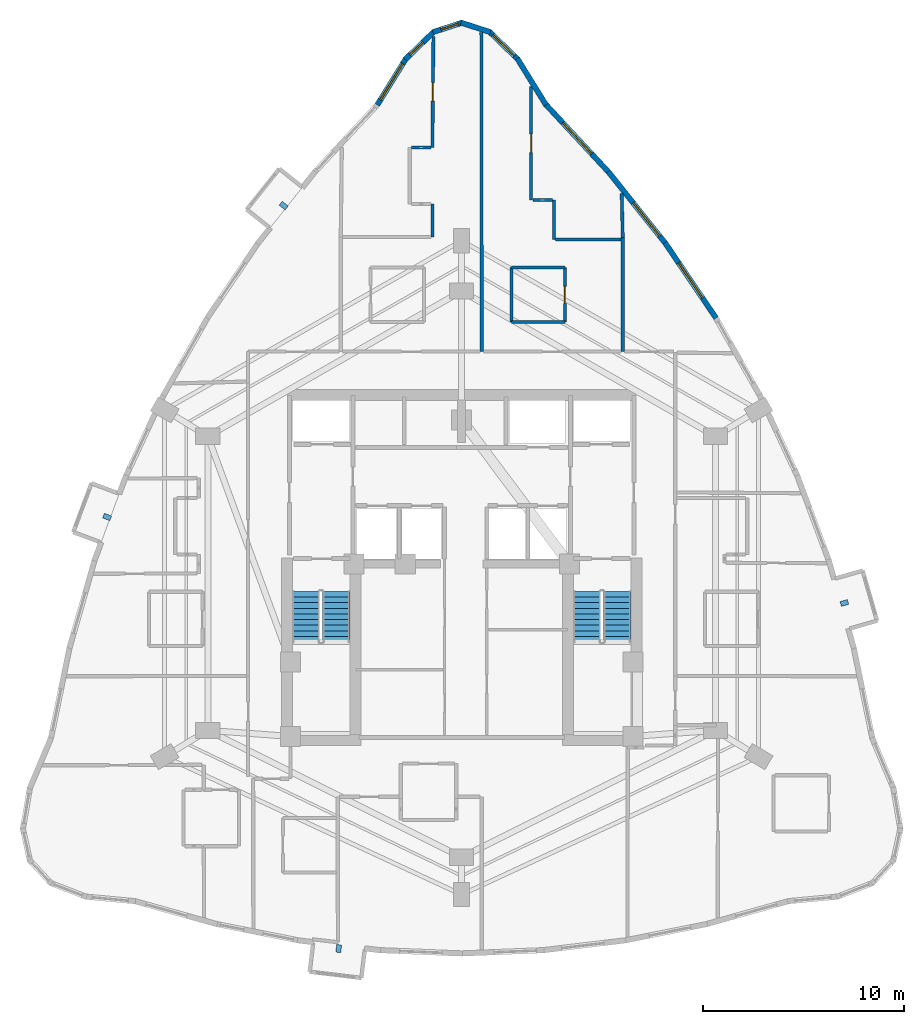
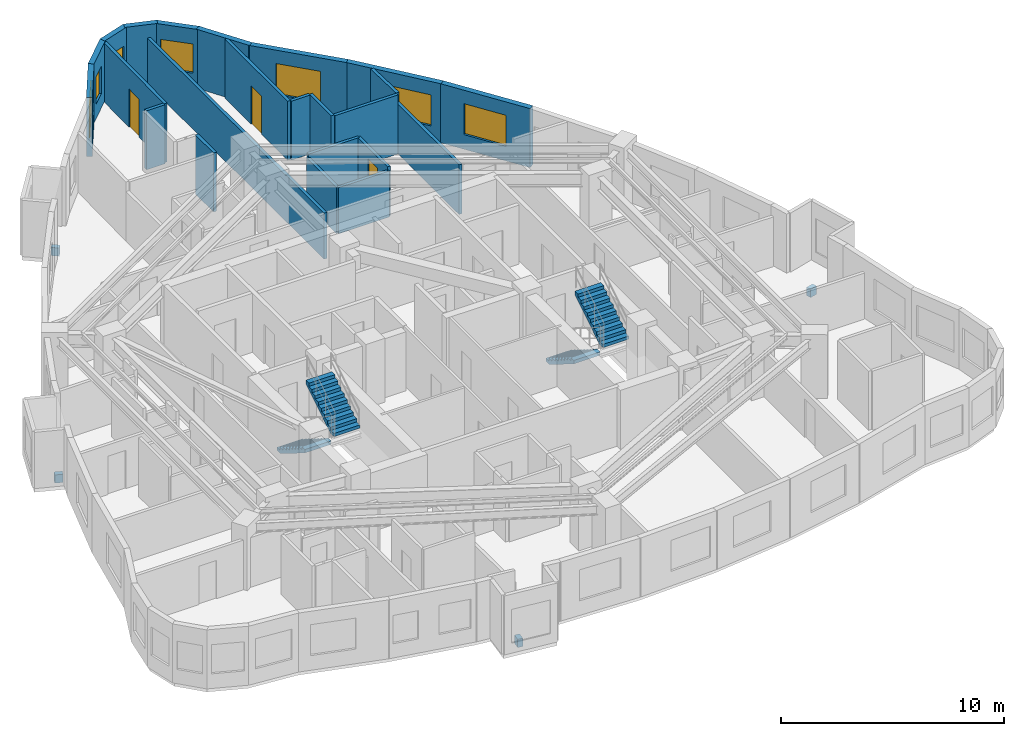
# One storey, part 13 of 14: 23 walls, 7 windows, 4 discrete accessories, 4 stair flights, 3 doors, 10 openings, 2 elements without a shape of their own.
"""IFC4 building model written with IfcOpenShell, lengths in metres."""

from ifc_helpers import new_model, si_unit, direction, frame, frame_2d, origin, origin_2d, place, context, subcontext, project, spatial, polyline, rectangle, outline, extrude, material, layer, layer_set, type_object, element, fill, aggregate, save


model = new_model("IFC4")

# Units and contexts
model_context = context("Model", 3, precision=1e-05, world=origin(), true_north=direction((0.0, 1.0)))
body_context = subcontext(model_context, "Body", "Model", "MODEL_VIEW")
ifc_project = project(units=[si_unit("LENGTHUNIT", "METRE"), si_unit("AREAUNIT", "SQUARE_METRE"), si_unit("VOLUMEUNIT", "CUBIC_METRE"), si_unit("PLANEANGLEUNIT", "RADIAN"), si_unit("MASSUNIT", "GRAM", prefix="KILO")], contexts=[model_context])

# Site, building, storey
site_placement = place(None, origin())
site = spatial("IfcSite", under=ifc_project, at=site_placement, CompositionType="ELEMENT")
building_placement = place(site_placement, origin())
building = spatial("IfcBuilding", under=site, at=building_placement, Name="Miruveldt Soraemaru", CompositionType="ELEMENT")
storey_placement = place(building_placement, frame((0.0, 0.0, 131.89990234375)))
storey = spatial("IfcBuildingStorey", under=building, at=storey_placement, Name="L36", CompositionType="ELEMENT", Elevation=131.89990234375)

# Wall
ifc_material_1 = material(Name="Precast concrete C45/55 (45 MPa)", Category="concrete")
ifc_layer_1 = layer(ifc_material_1, 0.27001953125, Name="Precast concrete C45/55 (45 MPa)", Category="concrete")
ifc_layer_set_1 = layer_set([ifc_layer_1], Name="Precast concrete C45/55 (45 MPa)")
wall_type_1 = type_object("IfcWallType", Name="WALL-EXT-PC270", PredefinedType="SOLIDWALL", material=ifc_layer_set_1)
wall_1_placement = place(storey_placement, frame((48.189208984375, 66.84521484375, 0.0), z_axis=(0.0, 0.0, 1.0), x_axis=(-0.526069525275, 0.850441564469, 0.0)))
element("IfcWall", 1, at=wall_1_placement, inside=storey, type_object=wall_type_1, Name="L36 Precast Concrete Facade Wall 1", PredefinedType="SOLIDWALL", context=body_context, shape_type="SweptSolid", body=[
    extrude(rectangle(XDim=2.712646484375, YDim=0.27001953125, at=frame_2d((1.3564453125, 0.0))), origin(), (0.0, 0.0, 1.0), 3.235107421875),
])

# Wall, opening, window
wall_2_placement = place(storey_placement, frame((46.8056640625, 69.097900390625, 0.0), z_axis=(0.0, 0.0, 1.0), x_axis=(-0.717850649677, 0.696197130673, 0.0)))
wall_2 = element("IfcWall", 2, at=wall_2_placement, inside=storey, type_object=wall_type_1, Name="L36 Precast Concrete Facade Wall 2", PredefinedType="SOLIDWALL", context=body_context, shape_type="SweptSolid", body=[
    extrude(rectangle(XDim=2.0068359375, YDim=0.27001953125, at=frame_2d((1.00341796875, 0.0))), origin(), (0.0, 0.0, 1.0), 3.235107421875),
])
opening_1_placement = place(wall_2_placement, frame((0.25390625, 0.0, 0.800048828125)))
opening_1 = element("IfcOpeningElement", 3, at=opening_1_placement, cuts=wall_2, Name="Opening WN-3", PredefinedType="OPENING", context=body_context, shape_type="SweptSolid", body=[
    extrude(rectangle(XDim=1.5, YDim=1.60009765625, at=frame_2d((0.75, 0.800048828125))), frame((0.0, 0.14501953125, 0.0), z_axis=(0.0, -1.0, 0.0), x_axis=(1.0, 0.0, 0.0)), (0.0, 0.0, 1.0), 0.2900390625),
])
ifc_material_2 = material(Name="Triple low-e insulated glazing", Category="glass")
window_type_1 = type_object("IfcWindowType", Name="WIN-PUNCH-1500x1600", PartitioningType="SINGLE_PANEL", PredefinedType="WINDOW", material=ifc_material_2)
window_1_placement = place(opening_1_placement, origin())
window_1 = element("IfcWindow", 4, at=window_1_placement, inside=storey, type_object=window_type_1, Name="L36 Punched Triple-Glazed Window 02.1", OverallHeight=1.60009765625, OverallWidth=1.5, PartitioningType="SINGLE_PANEL", PredefinedType="WINDOW", context=body_context, shape_type="SweptSolid", body=[
    extrude(rectangle(XDim=1.5, YDim=1.60009765625, at=frame_2d((0.75, 0.800048828125))), frame((0.0, 0.030029296875, 0.0), z_axis=(0.0, -1.0, 0.0), x_axis=(1.0, 0.0, 0.0)), (0.0, 0.0, 1.0), 0.06005859375),
])
fill(opening_1, window_1)

# Wall
wall_3_placement = place(storey_placement, frame((45.423583984375, 70.4599609375, 0.0), z_axis=(0.0, 0.0, 1.0), x_axis=(-0.95146786592, 0.307748111484, 0.0)))
element("IfcWall", 5, at=wall_3_placement, inside=storey, type_object=wall_type_1, Name="L36 Precast Concrete Facade Wall 3", PredefinedType="SOLIDWALL", context=body_context, shape_type="SweptSolid", body=[
    extrude(rectangle(XDim=1.531005859375, YDim=0.27001953125, at=frame_2d((0.765625, 0.0))), origin(), (0.0, 0.0, 1.0), 3.235107421875),
])

# Wall, opening, window
wall_4_placement = place(storey_placement, frame((44.033203125, 70.93115234375, 0.0), z_axis=(0.0, 0.0, 1.0), x_axis=(-0.95146786592, -0.307748111484, 0.0)))
wall_4 = element("IfcWall", 6, at=wall_4_placement, inside=storey, type_object=wall_type_1, Name="L36 Precast Concrete Facade Wall 4", PredefinedType="SOLIDWALL", context=body_context, shape_type="SweptSolid", body=[
    extrude(rectangle(XDim=1.531005859375, YDim=0.27001953125, at=frame_2d((0.765625, 0.0))), origin(), (0.0, 0.0, 1.0), 3.235107421875),
])
opening_2_placement = place(wall_4_placement, frame((0.217041015625, 0.0, 0.780029296875)))
opening_2 = element("IfcOpeningElement", 7, at=opening_2_placement, cuts=wall_4, Name="Opening WN-7", PredefinedType="OPENING", context=body_context, shape_type="SweptSolid", body=[
    extrude(rectangle(XDim=0.89990234375, YDim=1.5, at=frame_2d((0.449951171875, 0.75))), frame((0.0, 0.14501953125, 0.0), z_axis=(0.0, -1.0, 0.0), x_axis=(1.0, 0.0, 0.0)), (0.0, 0.0, 1.0), 0.2900390625),
])
window_type_2 = type_object("IfcWindowType", Name="WIN-PUNCH-900x1500", PartitioningType="SINGLE_PANEL", PredefinedType="WINDOW", material=ifc_material_2)
window_2_placement = place(opening_2_placement, origin())
window_2 = element("IfcWindow", 8, at=window_2_placement, inside=storey, type_object=window_type_2, Name="L36 Punched Triple-Glazed Window 04.1", OverallHeight=1.5, OverallWidth=0.89990234375, PartitioningType="SINGLE_PANEL", PredefinedType="WINDOW", context=body_context, shape_type="SweptSolid", body=[
    extrude(rectangle(XDim=0.89990234375, YDim=1.5, at=frame_2d((0.449951171875, 0.75))), frame((0.0, 0.030029296875, 0.0), z_axis=(0.0, -1.0, 0.0), x_axis=(1.0, 0.0, 0.0)), (0.0, 0.0, 1.0), 0.06005859375),
])
fill(opening_2, window_2)

wall_5_placement = place(storey_placement, frame((42.635009765625, 70.4951171875, 0.0), z_axis=(0.0, 0.0, 1.0), x_axis=(-0.717850649677, -0.696197130673, 0.0)))
wall_5 = element("IfcWall", 9, at=wall_5_placement, inside=storey, type_object=wall_type_1, Name="L36 Precast Concrete Facade Wall 5", PredefinedType="SOLIDWALL", context=body_context, shape_type="SweptSolid", body=[
    extrude(rectangle(XDim=2.0068359375, YDim=0.27001953125, at=frame_2d((1.00341796875, 0.0))), origin(), (0.0, 0.0, 1.0), 3.235107421875),
])
opening_3_placement = place(wall_5_placement, frame((0.77197265625, 0.0, 0.780029296875)))
opening_3 = element("IfcOpeningElement", 10, at=opening_3_placement, cuts=wall_5, Name="Opening WN-7", PredefinedType="OPENING", context=body_context, shape_type="SweptSolid", body=[
    extrude(rectangle(XDim=0.89990234375, YDim=1.5, at=frame_2d((0.449951171875, 0.75))), frame((0.0, 0.14501953125, 0.0), z_axis=(0.0, -1.0, 0.0), x_axis=(1.0, 0.0, 0.0)), (0.0, 0.0, 1.0), 0.2900390625),
])
window_3_placement = place(opening_3_placement, origin())
window_3 = element("IfcWindow", 11, at=window_3_placement, inside=storey, type_object=window_type_2, Name="L36 Punched Triple-Glazed Window 05.1", OverallHeight=1.5, OverallWidth=0.89990234375, PartitioningType="SINGLE_PANEL", PredefinedType="WINDOW", context=body_context, shape_type="SweptSolid", body=[
    extrude(rectangle(XDim=0.89990234375, YDim=1.5, at=frame_2d((0.449951171875, 0.75))), frame((0.0, 0.030029296875, 0.0), z_axis=(0.0, -1.0, 0.0), x_axis=(1.0, 0.0, 0.0)), (0.0, 0.0, 1.0), 0.06005859375),
])
fill(opening_3, window_3)

wall_6_placement = place(storey_placement, frame((41.23779296875, 69.152099609375, 0.0), z_axis=(0.0, 0.0, 1.0), x_axis=(-0.526069525275, -0.850441564469, 0.0)))
wall_6 = element("IfcWall", 12, at=wall_6_placement, inside=storey, type_object=wall_type_1, Name="L36 Precast Concrete Facade Wall 6", PredefinedType="SOLIDWALL", context=body_context, shape_type="SweptSolid", body=[
    extrude(rectangle(XDim=2.712646484375, YDim=0.27001953125, at=frame_2d((1.3564453125, 0.0))), origin(), (0.0, 0.0, 1.0), 3.235107421875),
])
opening_4_placement = place(wall_6_placement, frame((0.305908203125, 0.0, 0.800048828125)))
opening_4 = element("IfcOpeningElement", 13, at=opening_4_placement, cuts=wall_6, Name="Opening WN-1", PredefinedType="OPENING", context=body_context, shape_type="SweptSolid", body=[
    extrude(rectangle(XDim=2.10009765625, YDim=1.699951171875, at=frame_2d((1.050048828125, 0.85009765625))), frame((0.0, 0.14501953125, 0.0), z_axis=(0.0, -1.0, 0.0), x_axis=(1.0, 0.0, 0.0)), (0.0, 0.0, 1.0), 0.2900390625),
])
window_type_3 = type_object("IfcWindowType", Name="WIN-PUNCH-2100x1700", PartitioningType="SINGLE_PANEL", PredefinedType="WINDOW", material=ifc_material_2)
window_4_placement = place(opening_4_placement, origin())
window_4 = element("IfcWindow", 14, at=window_4_placement, inside=storey, type_object=window_type_3, Name="L36 Punched Triple-Glazed Window 06.1", OverallHeight=1.699951171875, OverallWidth=2.10009765625, PartitioningType="SINGLE_PANEL", PredefinedType="WINDOW", context=body_context, shape_type="SweptSolid", body=[
    extrude(rectangle(XDim=2.10009765625, YDim=1.699951171875, at=frame_2d((1.050048828125, 0.85009765625))), frame((0.0, 0.030029296875, 0.0), z_axis=(0.0, -1.0, 0.0), x_axis=(1.0, 0.0, 0.0)), (0.0, 0.0, 1.0), 0.06005859375),
])
fill(opening_4, window_4)

wall_7_placement = place(storey_placement, frame((56.63330078125, 56.262451171875, 0.0), z_axis=(0.0, 0.0, 1.0), x_axis=(-0.560820718135, 0.82793726943, 0.0)))
wall_7 = element("IfcWall", 15, at=wall_7_placement, inside=storey, type_object=wall_type_1, Name="L36 Precast Concrete Facade Wall 40", PredefinedType="SOLIDWALL", context=body_context, shape_type="SweptSolid", body=[
    extrude(rectangle(XDim=4.52685546875, YDim=0.27001953125, at=frame_2d((2.263427734375, 0.0))), origin(), (0.0, 0.0, 1.0), 3.235107421875),
])
opening_5_placement = place(wall_7_placement, frame((1.214111328125, 0.0, 0.800048828125)))
opening_5 = element("IfcOpeningElement", 16, at=opening_5_placement, cuts=wall_7, Name="Opening WN-1", PredefinedType="OPENING", context=body_context, shape_type="SweptSolid", body=[
    extrude(rectangle(XDim=2.10009765625, YDim=1.699951171875, at=frame_2d((1.050048828125, 0.85009765625))), frame((0.0, 0.14501953125, 0.0), z_axis=(0.0, -1.0, 0.0), x_axis=(1.0, 0.0, 0.0)), (0.0, 0.0, 1.0), 0.2900390625),
])
window_5_placement = place(opening_5_placement, origin())
window_5 = element("IfcWindow", 17, at=window_5_placement, inside=storey, type_object=window_type_3, Name="L36 Punched Triple-Glazed Window 40.1", OverallHeight=1.699951171875, OverallWidth=2.10009765625, PartitioningType="SINGLE_PANEL", PredefinedType="WINDOW", context=body_context, shape_type="SweptSolid", body=[
    extrude(rectangle(XDim=2.10009765625, YDim=1.699951171875, at=frame_2d((1.050048828125, 0.85009765625))), frame((0.0, 0.030029296875, 0.0), z_axis=(0.0, -1.0, 0.0), x_axis=(1.0, 0.0, 0.0)), (0.0, 0.0, 1.0), 0.06005859375),
])
fill(opening_5, window_5)

wall_8_placement = place(storey_placement, frame((54.1357421875, 59.9541015625, 0.0), z_axis=(0.0, 0.0, 1.0), x_axis=(-0.623615994455, 0.781730830568, 0.0)))
wall_8 = element("IfcWall", 18, at=wall_8_placement, inside=storey, type_object=wall_type_1, Name="L36 Precast Concrete Facade Wall 41", PredefinedType="SOLIDWALL", context=body_context, shape_type="SweptSolid", body=[
    extrude(rectangle(XDim=4.582763671875, YDim=0.27001953125, at=frame_2d((2.29150390625, 0.0))), origin(), (0.0, 0.0, 1.0), 3.235107421875),
])
opening_6_placement = place(wall_8_placement, frame((0.491943359375, 0.0, 0.800048828125)))
opening_6 = element("IfcOpeningElement", 19, at=opening_6_placement, cuts=wall_8, Name="Opening WN-1", PredefinedType="OPENING", context=body_context, shape_type="SweptSolid", body=[
    extrude(rectangle(XDim=2.10009765625, YDim=1.699951171875, at=frame_2d((1.050048828125, 0.85009765625))), frame((0.0, 0.14501953125, 0.0), z_axis=(0.0, -1.0, 0.0), x_axis=(1.0, 0.0, 0.0)), (0.0, 0.0, 1.0), 0.2900390625),
])
window_6_placement = place(opening_6_placement, origin())
window_6 = element("IfcWindow", 20, at=window_6_placement, inside=storey, type_object=window_type_3, Name="L36 Punched Triple-Glazed Window 41.1", OverallHeight=1.699951171875, OverallWidth=2.10009765625, PartitioningType="SINGLE_PANEL", PredefinedType="WINDOW", context=body_context, shape_type="SweptSolid", body=[
    extrude(rectangle(XDim=2.10009765625, YDim=1.699951171875, at=frame_2d((1.050048828125, 0.85009765625))), frame((0.0, 0.030029296875, 0.0), z_axis=(0.0, -1.0, 0.0), x_axis=(1.0, 0.0, 0.0)), (0.0, 0.0, 1.0), 0.06005859375),
])
fill(opening_6, window_6)

wall_9_placement = place(storey_placement, frame((51.323486328125, 63.483642578125, 0.0), z_axis=(0.0, 0.0, 1.0), x_axis=(-0.680890565033, 0.732385170828, 0.0)))
wall_9 = element("IfcWall", 21, at=wall_9_placement, inside=storey, type_object=wall_type_1, Name="L36 Precast Concrete Facade Wall 42", PredefinedType="SOLIDWALL", context=body_context, shape_type="SweptSolid", body=[
    extrude(rectangle(XDim=4.665283203125, YDim=0.27001953125, at=frame_2d((2.33251953125, 0.0))), origin(), (0.0, 0.0, 1.0), 3.235107421875),
])
opening_7_placement = place(wall_9_placement, frame((1.281982421875, 0.0, 0.800048828125)))
opening_7 = element("IfcOpeningElement", 22, at=opening_7_placement, cuts=wall_9, Name="Opening WN-1", PredefinedType="OPENING", context=body_context, shape_type="SweptSolid", body=[
    extrude(rectangle(XDim=2.10009765625, YDim=1.699951171875, at=frame_2d((1.050048828125, 0.85009765625))), frame((0.0, 0.14501953125, 0.0), z_axis=(0.0, -1.0, 0.0), x_axis=(1.0, 0.0, 0.0)), (0.0, 0.0, 1.0), 0.2900390625),
])
window_7_placement = place(opening_7_placement, origin())
window_7 = element("IfcWindow", 23, at=window_7_placement, inside=storey, type_object=window_type_3, Name="L36 Punched Triple-Glazed Window 42.1", OverallHeight=1.699951171875, OverallWidth=2.10009765625, PartitioningType="SINGLE_PANEL", PredefinedType="WINDOW", context=body_context, shape_type="SweptSolid", body=[
    extrude(rectangle(XDim=2.10009765625, YDim=1.699951171875, at=frame_2d((1.050048828125, 0.85009765625))), frame((0.0, 0.030029296875, 0.0), z_axis=(0.0, -1.0, 0.0), x_axis=(1.0, 0.0, 0.0)), (0.0, 0.0, 1.0), 0.06005859375),
])
fill(opening_7, window_7)

# Wall, opening, door
ifc_material_3 = material(Name="Gypsum plasterboard lining", Category="gypsum")
ifc_layer_2 = layer(ifc_material_3, 0.14990234375, Name="Gypsum plasterboard lining", Category="gypsum")
ifc_layer_set_2 = layer_set([ifc_layer_2], Name="Gypsum plasterboard lining")
wall_type_2 = type_object("IfcWallType", Name="WALL-INT-PLUMB", PredefinedType="PLUMBINGWALL", material=ifc_layer_set_2)
wall_10_placement = place(storey_placement, frame((49.1298828125, 56.080078125, 0.0), z_axis=(0.0, 0.0, 1.0), x_axis=(0.0, 1.0, 0.0)))
wall_10 = element("IfcWall", 24, at=wall_10_placement, inside=storey, type_object=wall_type_2, Name="L36 Partition Wall 28", PredefinedType="PLUMBINGWALL", context=body_context, shape_type="SweptSolid", body=[
    extrude(rectangle(XDim=2.699951171875, YDim=0.14990234375, at=frame_2d((1.35009765625, 0.0))), origin(), (0.0, 0.0, 1.0), 2.72314453125),
])
opening_8_placement = place(wall_10_placement, frame((0.909912109375, 0.0, 0.0)))
opening_8 = element("IfcOpeningElement", 25, at=opening_8_placement, cuts=wall_10, Name="Opening FD3", PredefinedType="OPENING", context=body_context, shape_type="SweptSolid", body=[
    extrude(rectangle(XDim=0.85009765625, YDim=2.10009765625, at=frame_2d((0.425048828125, 1.050048828125))), frame((0.0, 0.0849609375, 0.0), z_axis=(0.0, -1.0, 0.0), x_axis=(1.0, 0.0, 0.0)), (0.0, 0.0, 1.0), 0.169921875),
])
ifc_material_4 = material(Name="Anodised aluminium EN AW-6063 T6", Category="aluminium")
door_type_1 = type_object("IfcDoorType", Name="DOOR-FD3-850", OperationType="NOTDEFINED", PredefinedType="DOOR", material=ifc_material_4)
door_1_placement = place(opening_8_placement, origin())
door_1 = element("IfcDoor", 26, at=door_1_placement, inside=storey, type_object=door_type_1, Name="L36 Unit 3603 BTH Door", OperationType="SINGLE_SWING_RIGHT", OverallHeight=2.10009765625, OverallWidth=0.85009765625, PredefinedType="DOOR", context=body_context, shape_type="SweptSolid", body=[
    extrude(rectangle(XDim=0.85009765625, YDim=2.10009765625, at=frame_2d((0.425048828125, 1.050048828125))), frame((0.0, 0.02490234375, 0.0), z_axis=(0.0, -1.0, 0.0), x_axis=(1.0, 0.0, 0.0)), (0.0, 0.0, 1.0), 0.050048828125),
])
fill(opening_8, door_1)

# Walls
wall_11_placement = place(storey_placement, frame((46.47998046875, 58.780029296875, 0.0), z_axis=(0.0, 0.0, 1.0), x_axis=(0.0, -1.0, 0.0)))
element("IfcWall", 27, at=wall_11_placement, inside=storey, type_object=wall_type_2, Name="L36 Partition Wall 30", PredefinedType="PLUMBINGWALL", context=body_context, shape_type="SweptSolid", body=[
    extrude(rectangle(XDim=2.699951171875, YDim=0.14990234375, at=frame_2d((1.35009765625, 0.0))), origin(), (0.0, 0.0, 1.0), 2.523193359375),
])
wall_12_placement = place(storey_placement, frame((49.1298828125, 58.780029296875, 0.0), z_axis=(0.0, 0.0, 1.0), x_axis=(-1.0, 0.0, 0.0)))
element("IfcWall", 28, at=wall_12_placement, inside=storey, type_object=wall_type_2, Name="L36 Partition Wall 29", PredefinedType="PLUMBINGWALL", context=body_context, shape_type="SweptSolid", body=[
    extrude(rectangle(XDim=2.64990234375, YDim=0.14990234375, at=frame_2d((1.324951171875, 0.0))), origin(), (0.0, 0.0, 1.0), 2.72314453125),
])
wall_13_placement = place(storey_placement, frame((46.47998046875, 56.080078125, 0.0), z_axis=(0.0, 0.0, 1.0), x_axis=(1.0, 0.0, 0.0)))
element("IfcWall", 29, at=wall_13_placement, inside=storey, type_object=wall_type_2, Name="L36 Partition Wall 31", PredefinedType="PLUMBINGWALL", context=body_context, shape_type="SweptSolid", body=[
    extrude(rectangle(XDim=2.64990234375, YDim=0.14990234375, at=frame_2d((1.324951171875, 0.0))), origin(), (0.0, 0.0, 1.0), 2.523193359375),
])

# Wall, opening, door
ifc_material_5 = material(Name="Concrete C40/50 (40 MPa)", Category="concrete")
ifc_layer_3 = layer(ifc_material_5, 0.159912109375, Name="Concrete C40/50 (40 MPa)", Category="concrete")
ifc_layer_set_3 = layer_set([ifc_layer_3], Name="Concrete C40/50 (40 MPa)")
wall_type_3 = type_object("IfcWallType", Name="WALL-INT-RC160", PredefinedType="SOLIDWALL", material=ifc_layer_set_3)
wall_14_placement = place(storey_placement, frame((47.449951171875, 62.1298828125, 0.0), z_axis=(0.0, 0.0, 1.0), x_axis=(0.0, 1.0, 0.0)))
wall_14 = element("IfcWall", 30, at=wall_14_placement, inside=storey, type_object=wall_type_3, Name="L36 Partition Wall 35", PredefinedType="SOLIDWALL", context=body_context, shape_type="SweptSolid", body=[
    extrude(rectangle(XDim=5.625, YDim=0.159912109375, at=frame_2d((2.8125, 0.0))), origin(), (0.0, 0.0, 1.0), 3.235107421875),
])
opening_9_placement = place(wall_14_placement, frame((2.35205078125, 0.0, 0.0)))
opening_9 = element("IfcOpeningElement", 31, at=opening_9_placement, cuts=wall_14, Name="Opening D3A", PredefinedType="OPENING", context=body_context, shape_type="SweptSolid", body=[
    extrude(rectangle(XDim=0.919921875, YDim=2.10009765625, at=frame_2d((0.4599609375, 1.050048828125))), frame((0.0, 0.08984375, 0.0), z_axis=(0.0, -1.0, 0.0), x_axis=(1.0, 0.0, 0.0)), (0.0, 0.0, 1.0), 0.179931640625),
])
door_type_2 = type_object("IfcDoorType", Name="DOOR-INT-920", OperationType="NOTDEFINED", PredefinedType="DOOR", material=ifc_material_4)
door_2_placement = place(opening_9_placement, origin())
door_2 = element("IfcDoor", 32, at=door_2_placement, inside=storey, type_object=door_type_2, Name="L36 Unit 3603 BD1 Door", OperationType="SINGLE_SWING_LEFT", OverallHeight=2.10009765625, OverallWidth=0.919921875, PredefinedType="DOOR", context=body_context, shape_type="SweptSolid", body=[
    extrude(rectangle(XDim=0.919921875, YDim=2.10009765625, at=frame_2d((0.4599609375, 1.050048828125))), frame((0.0, 0.02490234375, 0.0), z_axis=(0.0, -1.0, 0.0), x_axis=(1.0, 0.0, 0.0)), (0.0, 0.0, 1.0), 0.050048828125),
])
fill(opening_9, door_2)

wall_15_placement = place(storey_placement, frame((42.59912109375, 70.2509765625, 0.0), z_axis=(0.0, 0.0, 1.0), x_axis=(-0.008887948208, -0.999960501408, 0.0)))
wall_15 = element("IfcWall", 33, at=wall_15_placement, inside=storey, type_object=wall_type_3, Name="L36 Partition Wall 21", PredefinedType="SOLIDWALL", context=body_context, shape_type="SweptSolid", body=[
    extrude(rectangle(XDim=5.521240234375, YDim=0.159912109375, at=frame_2d((2.7607421875, 0.0))), origin(), (0.0, 0.0, 1.0), 3.235107421875),
])
opening_10_placement = place(wall_15_placement, frame((2.301025390625, 0.0, 0.0)))
opening_10 = element("IfcOpeningElement", 34, at=opening_10_placement, cuts=wall_15, Name="Opening D3A", PredefinedType="OPENING", context=body_context, shape_type="SweptSolid", body=[
    extrude(rectangle(XDim=0.919921875, YDim=2.10009765625, at=frame_2d((0.4599609375, 1.050048828125))), frame((0.0, 0.08984375, 0.0), z_axis=(0.0, -1.0, 0.0), x_axis=(1.0, 0.0, 0.0)), (0.0, 0.0, 1.0), 0.179931640625),
])
door_3_placement = place(opening_10_placement, origin())
door_3 = element("IfcDoor", 35, at=door_3_placement, inside=storey, type_object=door_type_2, Name="L36 Unit 3602 BD1 Door", OperationType="SINGLE_SWING_RIGHT", OverallHeight=2.10009765625, OverallWidth=0.919921875, PredefinedType="DOOR", context=body_context, shape_type="SweptSolid", body=[
    extrude(rectangle(XDim=0.919921875, YDim=2.10009765625, at=frame_2d((0.4599609375, 1.050048828125))), frame((0.0, 0.02490234375, 0.0), z_axis=(0.0, -1.0, 0.0), x_axis=(1.0, 0.0, 0.0)), (0.0, 0.0, 1.0), 0.050048828125),
])
fill(opening_10, door_3)

# Walls
wall_16_placement = place(storey_placement, frame((45.0, 54.60302734375, 0.0), z_axis=(0.0, 0.0, 1.0), x_axis=(-0.001325257339, 0.999999121846, 0.0)))
element("IfcWall", 36, at=wall_16_placement, inside=storey, type_object=wall_type_3, Name="L36 Partition Wall 27", PredefinedType="SOLIDWALL", context=body_context, shape_type="SweptSolid", body=[
    extrude(rectangle(XDim=15.843017578125, YDim=0.159912109375, at=frame_2d((7.92138671875, 0.0))), origin(), (0.0, 0.0, 1.0), 2.523193359375),
])
wall_17_placement = place(storey_placement, frame((52.0, 54.60009765625, 0.0), z_axis=(0.0, 0.0, 1.0), x_axis=(0.0, 1.0, 0.0)))
element("IfcWall", 37, at=wall_17_placement, inside=storey, type_object=wall_type_3, Name="L36 Partition Wall 36", PredefinedType="SOLIDWALL", context=body_context, shape_type="SweptSolid", body=[
    extrude(rectangle(XDim=5.658935546875, YDim=0.159912109375, at=frame_2d((2.82958984375, 0.0))), origin(), (0.0, 0.0, 1.0), 2.72314453125),
])
wall_18_placement = place(storey_placement, frame((51.919921875, 60.169921875, 0.0), z_axis=(0.0, 0.0, 1.0), x_axis=(-1.0, 0.0, 0.0)))
element("IfcWall", 38, at=wall_18_placement, inside=storey, type_object=wall_type_3, Name="L36 Partition Wall 32", PredefinedType="SOLIDWALL", context=body_context, shape_type="SweptSolid", body=[
    extrude(rectangle(XDim=3.260009765625, YDim=0.159912109375, at=frame_2d((1.6298828125, 0.0))), origin(), (0.0, 0.0, 1.0), 3.235107421875),
])
wall_19_placement = place(storey_placement, frame((51.945068359375, 62.458984375, 0.0), z_axis=(0.0, 0.0, 1.0), x_axis=(0.023963818723, -0.999712826462, 0.0)))
element("IfcWall", 39, at=wall_19_placement, inside=storey, type_object=wall_type_3, Name="L36 Partition Wall 87", PredefinedType="SOLIDWALL", context=body_context, shape_type="SweptSolid", body=[
    extrude(rectangle(XDim=2.20068359375, YDim=0.159912109375, at=frame_2d((1.100341796875, 0.0))), origin(), (0.0, 0.0, 1.0), 3.235107421875),
])
wall_20_placement = place(storey_placement, frame((48.580078125, 60.169921875, 0.0), z_axis=(0.0, 0.0, 1.0), x_axis=(0.0, 1.0, 0.0)))
element("IfcWall", 40, at=wall_20_placement, inside=storey, type_object=wall_type_3, Name="L36 Partition Wall 33", PredefinedType="SOLIDWALL", context=body_context, shape_type="SweptSolid", body=[
    extrude(rectangle(XDim=1.9599609375, YDim=0.159912109375, at=frame_2d((0.97998046875, 0.0))), origin(), (0.0, 0.0, 1.0), 3.235107421875),
])
wall_21_placement = place(storey_placement, frame((42.550048828125, 61.929931640625, 0.0), z_axis=(0.0, 0.0, 1.0), x_axis=(0.0, -1.0, 0.0)))
element("IfcWall", 41, at=wall_21_placement, inside=storey, type_object=wall_type_3, Name="L36 Partition Wall 25", PredefinedType="SOLIDWALL", context=body_context, shape_type="SweptSolid", body=[
    extrude(rectangle(XDim=1.64697265625, YDim=0.159912109375, at=frame_2d((0.823486328125, 0.0))), origin(), (0.0, 0.0, 1.0), 3.235107421875),
])
wall_22_placement = place(storey_placement, frame((48.5, 62.1298828125, 0.0), z_axis=(0.0, 0.0, 1.0), x_axis=(-1.0, 0.0, 0.0)))
element("IfcWall", 42, at=wall_22_placement, inside=storey, type_object=wall_type_3, Name="L36 Partition Wall 34", PredefinedType="SOLIDWALL", context=body_context, shape_type="SweptSolid", body=[
    extrude(rectangle(XDim=0.969970703125, YDim=0.159912109375, at=frame_2d((0.48486328125, 0.0))), origin(), (0.0, 0.0, 1.0), 3.235107421875),
])
wall_23_placement = place(storey_placement, frame((42.469970703125, 64.72998046875, 0.0), z_axis=(0.0, 0.0, 1.0), x_axis=(-1.0, 0.0, 0.0)))
element("IfcWall", 43, at=wall_23_placement, inside=storey, type_object=wall_type_3, Name="L36 Partition Wall 22", PredefinedType="SOLIDWALL", context=body_context, shape_type="SweptSolid", body=[
    extrude(rectangle(XDim=0.9599609375, YDim=0.159912109375, at=frame_2d((0.47998046875, 0.0))), origin(), (0.0, 0.0, 1.0), 3.235107421875),
])

# Stair, stair flights
stair_type = type_object("IfcStairType", Name="STAIR-DL-350", PredefinedType="HALF_TURN_STAIR", material=ifc_material_5)
stair_1_placement = place(storey_placement, origin())
stair_1 = element("IfcStair", 44, at=stair_1_placement, inside=storey, type_object=stair_type, Name="L36 Protected Exit Stair ST-1", PredefinedType="HALF_TURN_STAIR")
stair_flight_type = type_object("IfcStairFlightType", Name="SFL-DL-350", PredefinedType="STRAIGHT", material=ifc_material_5)
stair_flight_1_placement = place(storey_placement, frame((36.27490234375, 42.699951171875, 0.0), z_axis=(0.0, 0.0, 1.0), x_axis=(0.0, -1.0, 0.0)))
stair_flight_1 = element("IfcStairFlight", 45, at=stair_flight_1_placement, type_object=stair_flight_type, Name="ST-1 flight 1", NumberOfRisers=10, NumberOfTreads=9, PredefinedType="STRAIGHT", RiserHeight=0.175, TreadLength=0.28, context=body_context, shape_type="SweptSolid", body=[
    extrude(outline(polyline([(0.0, 0.0), (0.0, 0.175048828125), (0.280029296875, 0.175048828125), (0.280029296875, 0.35009765625), (0.56005859375, 0.35009765625), (0.56005859375, 0.52490234375), (0.840087890625, 0.52490234375), (0.840087890625, 0.699951171875), (1.1201171875, 0.699951171875), (1.1201171875, 0.875), (1.39990234375, 0.875), (1.39990234375, 1.050048828125), (1.679931640625, 1.050048828125), (1.679931640625, 1.22509765625), (1.9599609375, 1.22509765625), (1.9599609375, 1.39990234375), (2.239990234375, 1.39990234375), (2.239990234375, 1.574951171875), (2.52001953125, 1.574951171875), (2.52001953125, 1.75), (2.52001953125, 1.386474609375), (0.3017578125, 0.0), (0.0, 0.0)])), frame((0.0, 0.675048828125, 0.0), z_axis=(0.0, -1.0, 0.0), x_axis=(1.0, 0.0, 0.0)), (0.0, 0.0, 1.0), 1.35009765625),
])
stair_flight_2_placement = place(storey_placement, frame((37.77490234375, 40.179931640625, 1.75), z_axis=(0.0, 0.0, 1.0), x_axis=(0.0, 1.0, 0.0)))
stair_flight_2 = element("IfcStairFlight", 46, at=stair_flight_2_placement, type_object=stair_flight_type, Name="ST-1 flight 2", NumberOfRisers=10, NumberOfTreads=9, PredefinedType="STRAIGHT", RiserHeight=0.175, TreadLength=0.28, context=body_context, shape_type="SweptSolid", body=[
    extrude(outline(polyline([(0.0, 0.0), (0.0, 0.175048828125), (0.280029296875, 0.175048828125), (0.280029296875, 0.35009765625), (0.56005859375, 0.35009765625), (0.56005859375, 0.52490234375), (0.840087890625, 0.52490234375), (0.840087890625, 0.699951171875), (1.1201171875, 0.699951171875), (1.1201171875, 0.875), (1.39990234375, 0.875), (1.39990234375, 1.050048828125), (1.679931640625, 1.050048828125), (1.679931640625, 1.22509765625), (1.9599609375, 1.22509765625), (1.9599609375, 1.39990234375), (2.239990234375, 1.39990234375), (2.239990234375, 1.574951171875), (2.52001953125, 1.574951171875), (2.52001953125, 1.75), (2.52001953125, 1.386474609375), (0.3017578125, 0.0), (0.0, 0.0)])), frame((0.0, 0.675048828125, 0.0), z_axis=(0.0, -1.0, 0.0), x_axis=(1.0, 0.0, 0.0)), (0.0, 0.0, 1.0), 1.35009765625),
])
aggregate(stair_1, [stair_flight_1, stair_flight_2])

stair_2_placement = place(storey_placement, origin())
stair_2 = element("IfcStair", 47, at=stair_2_placement, inside=storey, type_object=stair_type, Name="L36 Protected Exit Stair ST-2", PredefinedType="HALF_TURN_STAIR")
stair_flight_3_placement = place(storey_placement, frame((50.22509765625, 42.699951171875, 0.0), z_axis=(0.0, 0.0, 1.0), x_axis=(0.0, -1.0, 0.0)))
stair_flight_3 = element("IfcStairFlight", 48, at=stair_flight_3_placement, type_object=stair_flight_type, Name="ST-2 flight 1", NumberOfRisers=10, NumberOfTreads=9, PredefinedType="STRAIGHT", RiserHeight=0.175, TreadLength=0.28, context=body_context, shape_type="SweptSolid", body=[
    extrude(outline(polyline([(0.0, 0.0), (0.0, 0.175048828125), (0.280029296875, 0.175048828125), (0.280029296875, 0.35009765625), (0.56005859375, 0.35009765625), (0.56005859375, 0.52490234375), (0.840087890625, 0.52490234375), (0.840087890625, 0.699951171875), (1.1201171875, 0.699951171875), (1.1201171875, 0.875), (1.39990234375, 0.875), (1.39990234375, 1.050048828125), (1.679931640625, 1.050048828125), (1.679931640625, 1.22509765625), (1.9599609375, 1.22509765625), (1.9599609375, 1.39990234375), (2.239990234375, 1.39990234375), (2.239990234375, 1.574951171875), (2.52001953125, 1.574951171875), (2.52001953125, 1.75), (2.52001953125, 1.386474609375), (0.3017578125, 0.0), (0.0, 0.0)])), frame((0.0, 0.675048828125, 0.0), z_axis=(0.0, -1.0, 0.0), x_axis=(1.0, 0.0, 0.0)), (0.0, 0.0, 1.0), 1.35009765625),
])
stair_flight_4_placement = place(storey_placement, frame((51.72509765625, 40.179931640625, 1.75), z_axis=(0.0, 0.0, 1.0), x_axis=(0.0, 1.0, 0.0)))
stair_flight_4 = element("IfcStairFlight", 49, at=stair_flight_4_placement, type_object=stair_flight_type, Name="ST-2 flight 2", NumberOfRisers=10, NumberOfTreads=9, PredefinedType="STRAIGHT", RiserHeight=0.175, TreadLength=0.28, context=body_context, shape_type="SweptSolid", body=[
    extrude(outline(polyline([(0.0, 0.0), (0.0, 0.175048828125), (0.280029296875, 0.175048828125), (0.280029296875, 0.35009765625), (0.56005859375, 0.35009765625), (0.56005859375, 0.52490234375), (0.840087890625, 0.52490234375), (0.840087890625, 0.699951171875), (1.1201171875, 0.699951171875), (1.1201171875, 0.875), (1.39990234375, 0.875), (1.39990234375, 1.050048828125), (1.679931640625, 1.050048828125), (1.679931640625, 1.22509765625), (1.9599609375, 1.22509765625), (1.9599609375, 1.39990234375), (2.239990234375, 1.39990234375), (2.239990234375, 1.574951171875), (2.52001953125, 1.574951171875), (2.52001953125, 1.75), (2.52001953125, 1.386474609375), (0.3017578125, 0.0), (0.0, 0.0)])), frame((0.0, 0.675048828125, 0.0), z_axis=(0.0, -1.0, 0.0), x_axis=(1.0, 0.0, 0.0)), (0.0, 0.0, 1.0), 1.35009765625),
])
aggregate(stair_2, [stair_flight_3, stair_flight_4])

# Discrete accessories
ifc_material_6 = material(Name="Steel SM355 (355 MPa)", Category="steel")
discrete_accessory_type = type_object("IfcDiscreteAccessoryType", Name="ACC-BAY-BRK", PredefinedType="BRACKET", material=ifc_material_6)
for number, where, z_axis, x_axis, name in (
    (50, (35.168212890625, 61.84521484375, -0.7099609375), (0.0, 0.0, 1.0), (-0.781738199863, 0.623606756598, 0.0), "L36 Bay Window Cantilever Bracket 1"),
    (51, (26.4033203125, 46.39208984375, -0.7099609375), (0.0, 0.0, 1.0), (-0.937105441274, 0.349046403698, 0.0), "L36 Bay Window Cantilever Bracket 2"),
    (52, (37.898193359375, 24.968505859375, -0.7099609375), (0.0, 0.0, 1.0), (-0.119131818163, -0.99287844669, 0.0), "L36 Bay Window Cantilever Bracket 3"),
    (53, (62.998779296875, 42.122314453125, -0.7099609375), (0.0, 0.0, 1.0), (0.961453892845, 0.274966201438, 0.0), "L36 Bay Window Cantilever Bracket 4"),
):
    element("IfcDiscreteAccessory", number, at=place(storey_placement, frame(where, z_axis=z_axis, x_axis=x_axis)), inside=storey, type_object=discrete_accessory_type, Name=name, PredefinedType="BRACKET", context=body_context, shape_type="SweptSolid", body=[
        extrude(rectangle(XDim=0.3798828125, YDim=0.25, at=origin_2d()), origin(), (0.0, 0.0, 1.0), 0.449951171875),
    ])

save(model, "model.ifc")
